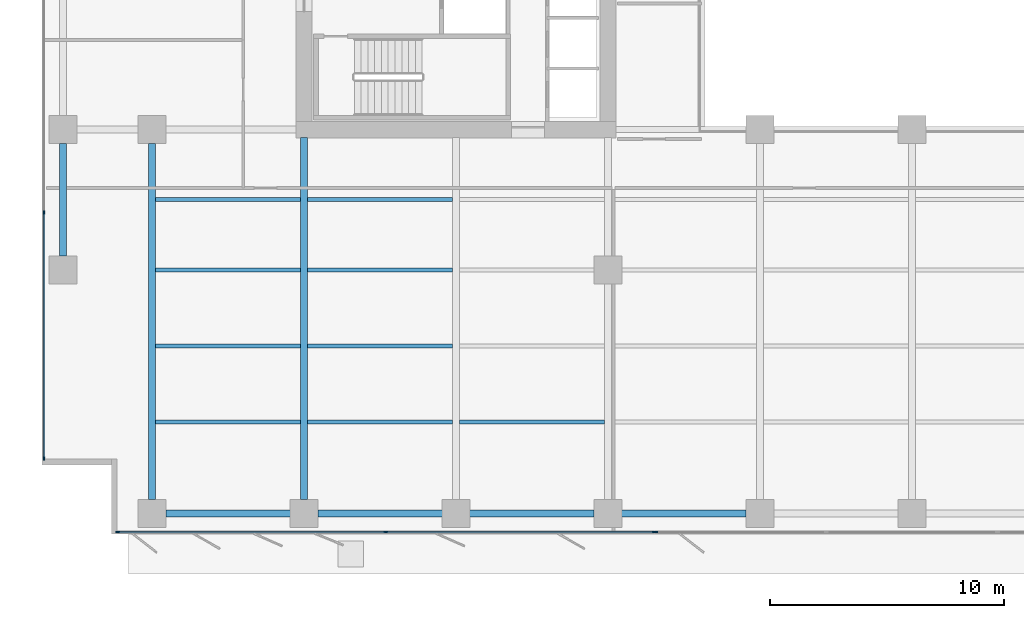
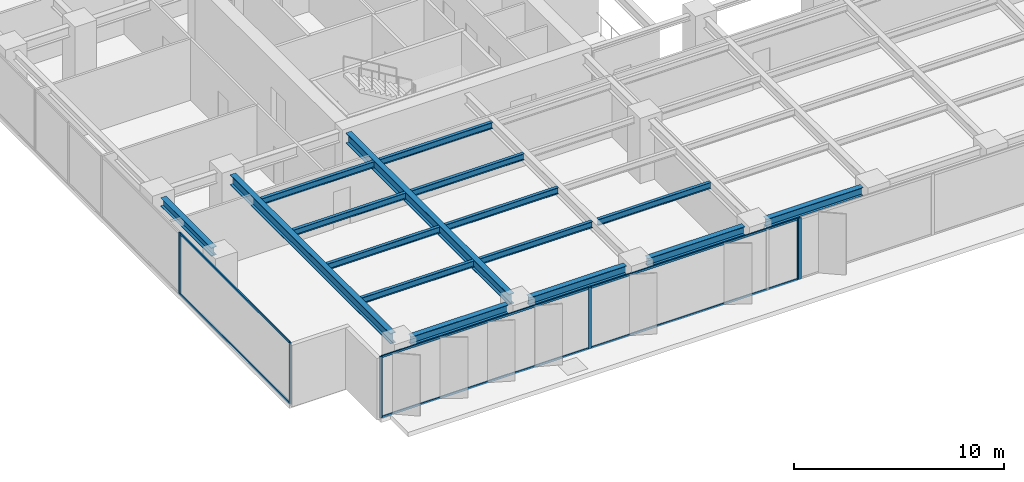
# One storey, part 2 of 19: 16 beams, 12 members, 3 elements without a shape of their own.
"""IFC4 building model written with IfcOpenShell, lengths in metres."""

from ifc_helpers import new_model, si_unit, direction, frame, origin, origin_2d, place, context, subcontext, project, spatial, rectangle, i_section, extrude, material, layer, layer_set, material_profile, profile_set, type_object, element, aggregate, save


model = new_model("IFC4")

# Units and contexts
model_context = context("Model", 3, precision=1e-05, world=origin(), true_north=direction((0.0, 1.0)))
body_context = subcontext(model_context, "Body", "Model", "MODEL_VIEW")
ifc_project = project(units=[si_unit("LENGTHUNIT", "METRE"), si_unit("AREAUNIT", "SQUARE_METRE"), si_unit("VOLUMEUNIT", "CUBIC_METRE"), si_unit("PLANEANGLEUNIT", "RADIAN"), si_unit("MASSUNIT", "GRAM", prefix="KILO")], contexts=[model_context])

# Site, building, storey
site_placement = place(None, origin())
site = spatial("IfcSite", under=ifc_project, at=site_placement, CompositionType="ELEMENT")
building_placement = place(site_placement, origin())
building = spatial("IfcBuilding", under=site, at=building_placement, Name="Putna Gate Headquarters", CompositionType="ELEMENT")
storey_placement = place(building_placement, frame((0.0, 0.0, 86.0)))
storey = spatial("IfcBuildingStorey", under=building, at=storey_placement, Name="L20", CompositionType="ELEMENT", Elevation=86.0)

# Beams
ifc_material_1 = material(Name="Steel S355J2", Category="steel")
ifc_material_profile_1 = material_profile(ifc_material_1, i_section(OverallWidth=0.300048828125, OverallDepth=0.60009765625, WebThickness=0.015380859375, FlangeThickness=0.030029296875, at=origin_2d()), Name="Steel S355J2")
ifc_profile_set_1 = profile_set([ifc_material_profile_1], Name="Steel S355J2")
beam_type_1 = type_object("IfcBeamType", Name="BM-GIRD-Z2-HEB600", PredefinedType="USERDEFINED", material=ifc_profile_set_1)
beam_1_placement = place(storey_placement, frame((6.5, 3.16796875, 3.264892578125), z_axis=(0.0, 1.0, 0.0), x_axis=(-1.0, 0.0, 0.0)))
element("IfcBeam", 1, at=beam_1_placement, inside=storey, type_object=beam_type_1, Name="L20 South Primary Girder X6", ObjectType="GIRDER", PredefinedType="USERDEFINED", context=body_context, shape_type="SweptSolid", body=[
    extrude(i_section(OverallWidth=0.300048828125, OverallDepth=0.60009765625, WebThickness=0.015380859375, FlangeThickness=0.030029296875, at=origin_2d()), origin(), (0.0, 0.0, 1.0), 15.244140625),
])
beam_2_placement = place(storey_placement, frame((13.0, 3.16796875, 3.264892578125), z_axis=(0.0, 1.0, 0.0), x_axis=(-1.0, 0.0, 0.0)))
element("IfcBeam", 2, at=beam_2_placement, inside=storey, type_object=beam_type_1, Name="L20 South Primary Girder X13", ObjectType="GIRDER", PredefinedType="USERDEFINED", context=body_context, shape_type="SweptSolid", body=[
    extrude(i_section(OverallWidth=0.300048828125, OverallDepth=0.60009765625, WebThickness=0.015380859375, FlangeThickness=0.030029296875, at=origin_2d()), origin(), (0.0, 0.0, 1.0), 15.4970703125),
])
ifc_material_profile_2 = material_profile(ifc_material_1, i_section(OverallWidth=0.169921875, OverallDepth=0.360107421875, WebThickness=0.008056640625, FlangeThickness=0.0126953125, at=origin_2d()), Name="Steel S355J2")
ifc_profile_set_2 = profile_set([ifc_material_profile_2], Name="Steel S355J2")
beam_type_2 = type_object("IfcBeamType", Name="BM-SEC-Z2-IPE360", PredefinedType="BEAM", material=ifc_profile_set_2)
for number, where, z_axis, x_axis, name in (
    (3, (6.654052734375, 6.5, 3.385009765625), (1.0, 0.0, 0.0), (0.0, 1.0, 0.0), "L20 South Secondary Beam 1"),
    (4, (6.654052734375, 9.75, 3.385009765625), (1.0, 0.0, 0.0), (0.0, 1.0, 0.0), "L20 South Secondary Beam 1"),
    (5, (6.654052734375, 13.0, 3.385009765625), (1.0, 0.0, 0.0), (0.0, 1.0, 0.0), "L20 South Secondary Beam 1"),
    (6, (6.654052734375, 16.0, 3.385009765625), (1.0, 0.0, 0.0), (0.0, 1.0, 0.0), "L20 South Secondary Beam 1"),
    (7, (13.154052734375, 6.5, 3.385009765625), (1.0, 0.0, 0.0), (0.0, 1.0, 0.0), "L20 South Secondary Beam 2"),
    (8, (13.154052734375, 9.75, 3.385009765625), (1.0, 0.0, 0.0), (0.0, 1.0, 0.0), "L20 South Secondary Beam 2"),
    (9, (13.154052734375, 13.0, 3.385009765625), (1.0, 0.0, 0.0), (0.0, 1.0, 0.0), "L20 South Secondary Beam 2"),
    (10, (13.154052734375, 16.0, 3.385009765625), (1.0, 0.0, 0.0), (0.0, 1.0, 0.0), "L20 South Secondary Beam 2"),
    (11, (19.654052734375, 6.5, 3.385009765625), (1.0, 0.0, 0.0), (0.0, 1.0, 0.0), "L20 South Secondary Beam 3"),
):
    element("IfcBeam", number, at=place(storey_placement, frame(where, z_axis=z_axis, x_axis=x_axis)), inside=storey, type_object=beam_type_2, Name=name, PredefinedType="BEAM", context=body_context, shape_type="SweptSolid", body=[
        extrude(i_section(OverallWidth=0.169921875, OverallDepth=0.360107421875, WebThickness=0.008056640625, FlangeThickness=0.0126953125, at=origin_2d()), origin(), (0.0, 0.0, 1.0), 6.19189453125),
    ])
ifc_material_profile_3 = material_profile(ifc_material_1, i_section(OverallWidth=0.300048828125, OverallDepth=0.489990234375, WebThickness=0.011962890625, FlangeThickness=0.02294921875, at=origin_2d()), Name="Steel S355J2")
ifc_profile_set_3 = profile_set([ifc_material_profile_3], Name="Steel S355J2")
beam_type_3 = type_object("IfcBeamType", Name="BM-SPAN-Z2-HEA500", PredefinedType="SPANDREL", material=ifc_profile_set_3)
for number, where, z_axis, x_axis, name in (
    (12, (7.087890625, 2.580078125, 3.320068359375), (1.0, 0.0, 0.0), (0.0, 1.0, 0.0), "L20 S Perimeter Spandrel 1"),
    (13, (13.587890625, 2.580078125, 3.320068359375), (1.0, 0.0, 0.0), (0.0, 1.0, 0.0), "L20 S Perimeter Spandrel 2"),
    (14, (20.087890625, 2.580078125, 3.320068359375), (1.0, 0.0, 0.0), (0.0, 1.0, 0.0), "L20 S Perimeter Spandrel 3"),
    (15, (26.587890625, 2.580078125, 3.320068359375), (1.0, 0.0, 0.0), (0.0, 1.0, 0.0), "L20 S Perimeter Spandrel 4"),
):
    element("IfcBeam", number, at=place(storey_placement, frame(where, z_axis=z_axis, x_axis=x_axis)), inside=storey, type_object=beam_type_3, Name=name, PredefinedType="SPANDREL", context=body_context, shape_type="SweptSolid", body=[
        extrude(i_section(OverallWidth=0.300048828125, OverallDepth=0.489990234375, WebThickness=0.011962890625, FlangeThickness=0.02294921875, at=origin_2d()), origin(), (0.0, 0.0, 1.0), 5.32421875),
    ])
beam_3_placement = place(storey_placement, frame((2.679931640625, 13.587890625, 3.320068359375), z_axis=(0.0, 1.0, 0.0), x_axis=(-1.0, 0.0, 0.0)))
element("IfcBeam", 16, at=beam_3_placement, inside=storey, type_object=beam_type_3, Name="L20 W End Spandrel 1", PredefinedType="SPANDREL", context=body_context, shape_type="SweptSolid", body=[
    extrude(i_section(OverallWidth=0.300048828125, OverallDepth=0.489990234375, WebThickness=0.011962890625, FlangeThickness=0.02294921875, at=origin_2d()), origin(), (0.0, 0.0, 1.0), 4.82421875),
])

# Curtain wall, members
ifc_material_2 = material(Name="Anodised bronze aluminium curtain wall", Category="aluminium")
ifc_layer_1 = layer(ifc_material_2, 0.159912109375)
ifc_layer_set_1 = layer_set([ifc_layer_1], Name="Anodised bronze aluminium curtain wall")
curtain_wall_type_1 = type_object("IfcCurtainWallType", Name="CW-SYS-Z2", PredefinedType="USERDEFINED", material=ifc_layer_set_1)
curtain_wall_1_placement = place(storey_placement, origin())
curtain_wall_1 = element("IfcCurtainWall", 17, at=curtain_wall_1_placement, inside=storey, type_object=curtain_wall_type_1, Name="L20 South West Curtain Wall", ObjectType="STICK CURTAIN WALL", PredefinedType="USERDEFINED")
ifc_material_3 = material(Name="Anodised bronze aluminium EN AW-6060", Category="aluminium")
ifc_material_profile_4 = material_profile(ifc_material_3, rectangle(XDim=0.06494140625, YDim=0.159912109375, at=origin_2d()), Name="Anodised bronze aluminium EN AW-6060")
ifc_profile_set_4 = profile_set([ifc_material_profile_4], Name="Anodised bronze aluminium EN AW-6060")
member_type_1 = type_object("IfcMemberType", Name="MULL-CWM-2", PredefinedType="MULLION", material=ifc_profile_set_4)
member_1_placement = place(storey_placement, frame((5.032470703125, 1.780029296875, 0.0), z_axis=(0.0, 0.0, 1.0), x_axis=(0.0, 1.0, 0.0)))
member_1 = element("IfcMember", 18, at=member_1_placement, type_object=member_type_1, Name="CWS-2 mullion 1", PredefinedType="MULLION", context=body_context, shape_type="SweptSolid", body=[
    extrude(rectangle(XDim=0.06494140625, YDim=0.159912109375, at=origin_2d()), origin(), (0.0, 0.0, 1.0), 3.56494140625),
])
member_2_placement = place(storey_placement, frame((16.5, 1.780029296875, 0.0), z_axis=(0.0, 0.0, 1.0), x_axis=(0.0, 1.0, 0.0)))
member_2 = element("IfcMember", 19, at=member_2_placement, type_object=member_type_1, Name="CWS-2 mullion 2", PredefinedType="MULLION", context=body_context, shape_type="SweptSolid", body=[
    extrude(rectangle(XDim=0.06494140625, YDim=0.159912109375, at=origin_2d()), origin(), (0.0, 0.0, 1.0), 3.56494140625),
])
member_3_placement = place(storey_placement, frame((27.967529296875, 1.780029296875, 0.0), z_axis=(0.0, 0.0, 1.0), x_axis=(0.0, 1.0, 0.0)))
member_3 = element("IfcMember", 20, at=member_3_placement, type_object=member_type_1, Name="CWS-2 mullion 3", PredefinedType="MULLION", context=body_context, shape_type="SweptSolid", body=[
    extrude(rectangle(XDim=0.06494140625, YDim=0.159912109375, at=origin_2d()), origin(), (0.0, 0.0, 1.0), 3.56494140625),
])

curtain_wall_2_placement = place(storey_placement, origin())
curtain_wall_2 = element("IfcCurtainWall", 21, at=curtain_wall_2_placement, inside=storey, type_object=curtain_wall_type_1, Name="L20 West Curtain Wall", ObjectType="STICK CURTAIN WALL", PredefinedType="USERDEFINED")
member_4_placement = place(storey_placement, frame((1.8798828125, 4.9326171875, 0.0), z_axis=(0.0, 0.0, 1.0), x_axis=(-1.0, 0.0, 0.0)))
member_4 = element("IfcMember", 22, at=member_4_placement, type_object=member_type_1, Name="CWS-2 mullion 1", PredefinedType="MULLION", context=body_context, shape_type="SweptSolid", body=[
    extrude(rectangle(XDim=0.06494140625, YDim=0.159912109375, at=origin_2d()), origin(), (0.0, 0.0, 1.0), 3.56494140625),
])
member_5_placement = place(storey_placement, frame((1.8798828125, 15.449951171875, 0.0), z_axis=(0.0, 0.0, 1.0), x_axis=(-1.0, 0.0, 0.0)))
member_5 = element("IfcMember", 23, at=member_5_placement, type_object=member_type_1, Name="CWS-2 mullion 2", PredefinedType="MULLION", context=body_context, shape_type="SweptSolid", body=[
    extrude(rectangle(XDim=0.06494140625, YDim=0.159912109375, at=origin_2d()), origin(), (0.0, 0.0, 1.0), 3.56494140625),
])

# Curtain wall, member
ifc_layer_2 = layer(ifc_material_2, 0.179931640625)
ifc_layer_set_2 = layer_set([ifc_layer_2], Name="Anodised bronze aluminium curtain wall")
curtain_wall_type_2 = type_object("IfcCurtainWallType", Name="CW-SYS-ATR", PredefinedType="USERDEFINED", material=ifc_layer_set_2)
curtain_wall_3_placement = place(storey_placement, origin())
curtain_wall_3 = element("IfcCurtainWall", 24, at=curtain_wall_3_placement, inside=storey, type_object=curtain_wall_type_2, Name="L20 South Atrium Clear Glazing", ObjectType="ATRIUM GLAZING", PredefinedType="USERDEFINED")
ifc_material_profile_5 = material_profile(ifc_material_3, rectangle(XDim=0.070068359375, YDim=0.179931640625, at=origin_2d()), Name="Anodised bronze aluminium EN AW-6060")
ifc_profile_set_5 = profile_set([ifc_material_profile_5], Name="Anodised bronze aluminium EN AW-6060")
member_type_2 = type_object("IfcMemberType", Name="MULL-CWM-AT", PredefinedType="MULLION", material=ifc_profile_set_5)
member_6_placement = place(storey_placement, frame((28.034912109375, 1.780029296875, 0.0), z_axis=(0.0, 0.0, 1.0), x_axis=(0.0, 1.0, 0.0)))
member_6 = element("IfcMember", 25, at=member_6_placement, type_object=member_type_2, Name="CWS-AT mullion 1", PredefinedType="MULLION", context=body_context, shape_type="SweptSolid", body=[
    extrude(rectangle(XDim=0.070068359375, YDim=0.179931640625, at=origin_2d()), origin(), (0.0, 0.0, 1.0), 3.56494140625),
])
aggregate(curtain_wall_3, [member_6])

# Member
ifc_material_profile_6 = material_profile(ifc_material_3, rectangle(XDim=0.06494140625, YDim=0.1201171875, at=origin_2d()), Name="Anodised bronze aluminium EN AW-6060")
ifc_profile_set_6 = profile_set([ifc_material_profile_6], Name="Anodised bronze aluminium EN AW-6060")
member_type_3 = type_object("IfcMemberType", Name="TRAN-CWT-2", PredefinedType="USERDEFINED", material=ifc_profile_set_6)
member_7_placement = place(storey_placement, frame((5.06494140625, 1.780029296875, 0.032470703125), z_axis=(1.0, 0.0, 0.0), x_axis=(0.0, 1.0, 0.0)))
member_7 = element("IfcMember", 26, at=member_7_placement, type_object=member_type_3, Name="CWS-2 transom 1.1", ObjectType="TRANSOM", PredefinedType="USERDEFINED", context=body_context, shape_type="SweptSolid", body=[
    extrude(rectangle(XDim=0.06494140625, YDim=0.1201171875, at=origin_2d()), origin(), (0.0, 0.0, 1.0), 11.402587890625),
])

member_8_placement = place(storey_placement, frame((5.06494140625, 1.780029296875, 3.532470703125), z_axis=(1.0, 0.0, 0.0), x_axis=(0.0, 1.0, 0.0)))
member_8 = element("IfcMember", 27, at=member_8_placement, type_object=member_type_3, Name="CWS-2 transom 1.2", ObjectType="TRANSOM", PredefinedType="USERDEFINED", context=body_context, shape_type="SweptSolid", body=[
    extrude(rectangle(XDim=0.06494140625, YDim=0.1201171875, at=origin_2d()), origin(), (0.0, 0.0, 1.0), 11.402587890625),
])

member_9_placement = place(storey_placement, frame((16.532470703125, 1.780029296875, 0.032470703125), z_axis=(1.0, 0.0, 0.0), x_axis=(0.0, 1.0, 0.0)))
member_9 = element("IfcMember", 28, at=member_9_placement, type_object=member_type_3, Name="CWS-2 transom 2.1", ObjectType="TRANSOM", PredefinedType="USERDEFINED", context=body_context, shape_type="SweptSolid", body=[
    extrude(rectangle(XDim=0.06494140625, YDim=0.1201171875, at=origin_2d()), origin(), (0.0, 0.0, 1.0), 11.402587890625),
])

member_10_placement = place(storey_placement, frame((16.532470703125, 1.780029296875, 3.532470703125), z_axis=(1.0, 0.0, 0.0), x_axis=(0.0, 1.0, 0.0)))
member_10 = element("IfcMember", 29, at=member_10_placement, type_object=member_type_3, Name="CWS-2 transom 2.2", ObjectType="TRANSOM", PredefinedType="USERDEFINED", context=body_context, shape_type="SweptSolid", body=[
    extrude(rectangle(XDim=0.06494140625, YDim=0.1201171875, at=origin_2d()), origin(), (0.0, 0.0, 1.0), 11.402587890625),
])

aggregate(curtain_wall_1, [member_1, member_2, member_3, member_7, member_8, member_9, member_10])

member_11_placement = place(storey_placement, frame((1.8798828125, 4.965087890625, 0.032470703125), z_axis=(0.0, 1.0, 0.0), x_axis=(-1.0, 0.0, 0.0)))
member_11 = element("IfcMember", 30, at=member_11_placement, type_object=member_type_3, Name="CWS-2 transom 1.1", ObjectType="TRANSOM", PredefinedType="USERDEFINED", context=body_context, shape_type="SweptSolid", body=[
    extrude(rectangle(XDim=0.06494140625, YDim=0.1201171875, at=origin_2d()), origin(), (0.0, 0.0, 1.0), 10.452392578125),
])

member_12_placement = place(storey_placement, frame((1.8798828125, 4.965087890625, 3.532470703125), z_axis=(0.0, 1.0, 0.0), x_axis=(-1.0, 0.0, 0.0)))
member_12 = element("IfcMember", 31, at=member_12_placement, type_object=member_type_3, Name="CWS-2 transom 1.2", ObjectType="TRANSOM", PredefinedType="USERDEFINED", context=body_context, shape_type="SweptSolid", body=[
    extrude(rectangle(XDim=0.06494140625, YDim=0.1201171875, at=origin_2d()), origin(), (0.0, 0.0, 1.0), 10.452392578125),
])

aggregate(curtain_wall_2, [member_4, member_5, member_11, member_12])

save(model, "model.ifc")
